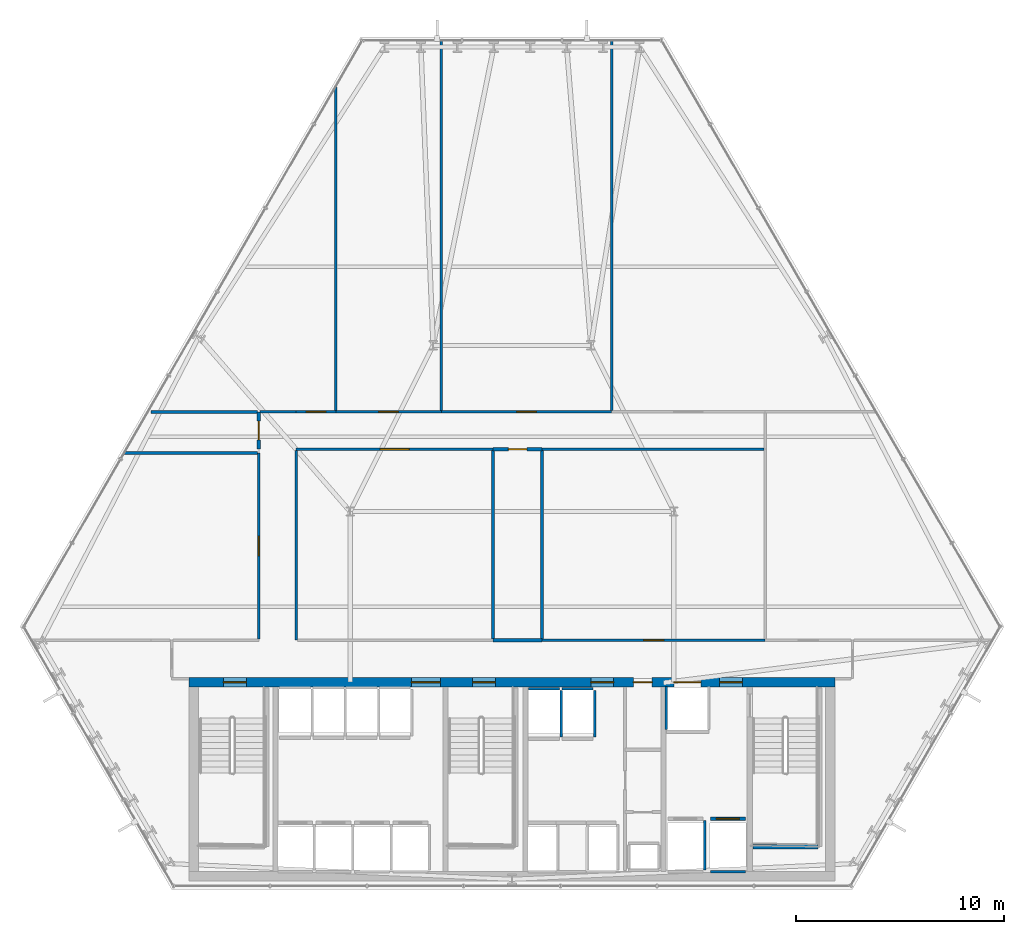
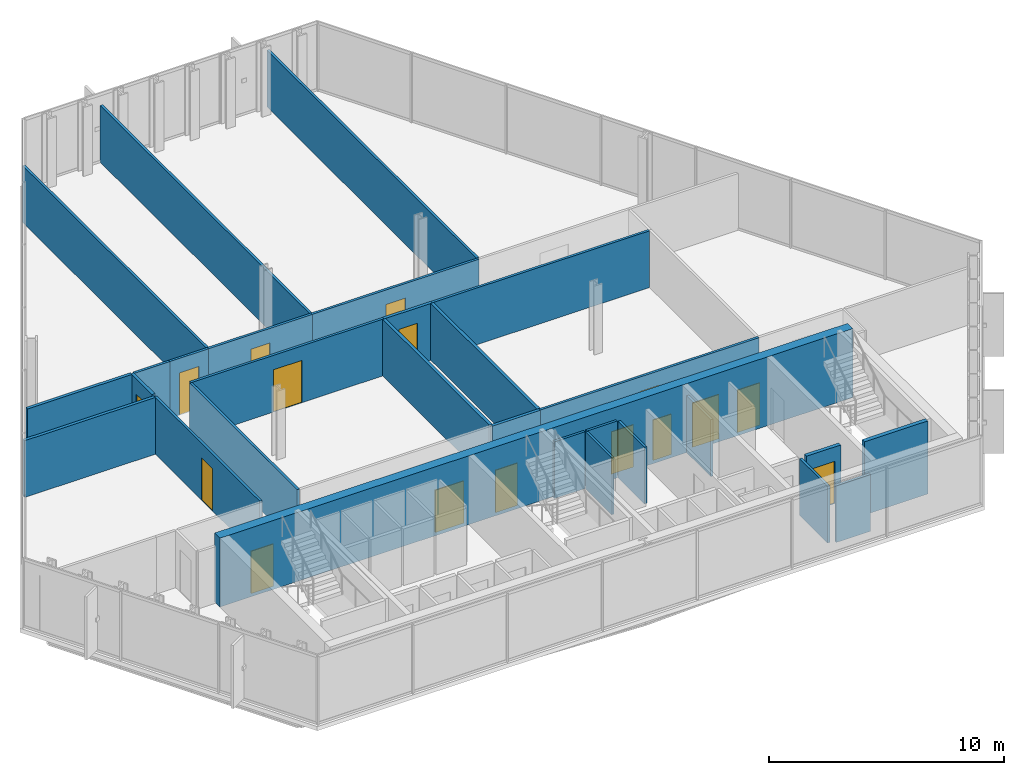
# One storey, part 28 of 33: 29 walls, 16 doors, 16 openings.
"""IFC4 building model written with IfcOpenShell, lengths in metres."""

from ifc_helpers import new_model, si_unit, direction, frame, frame_2d, origin, place, context, subcontext, project, spatial, rectangle, extrude, material, layer, layer_set, type_object, element, fill, save


model = new_model("IFC4")

# Units and contexts
model_context = context("Model", 3, precision=1e-05, world=origin(), true_north=direction((0.0, 1.0)))
body_context = subcontext(model_context, "Body", "Model", "MODEL_VIEW")
ifc_project = project(units=[si_unit("LENGTHUNIT", "METRE"), si_unit("AREAUNIT", "SQUARE_METRE"), si_unit("VOLUMEUNIT", "CUBIC_METRE"), si_unit("PLANEANGLEUNIT", "RADIAN"), si_unit("MASSUNIT", "GRAM", prefix="KILO")], contexts=[model_context])

# Site, building, storey
site_placement = place(None, origin())
site = spatial("IfcSite", under=ifc_project, at=site_placement, CompositionType="ELEMENT")
building_placement = place(site_placement, origin())
building = spatial("IfcBuilding", under=site, at=building_placement, Name="Ndaravel Arena Tower", CompositionType="ELEMENT")
storey_placement = place(building_placement, frame((0.0, 0.0, 85.39990234375)))
storey = spatial("IfcBuildingStorey", under=building, at=storey_placement, Name="L19", CompositionType="ELEMENT", Elevation=85.39990234375)

# Wall, openings, doors
ifc_material_1 = material(Name="Concrete C60/75", Category="concrete")
ifc_layer_1 = layer(ifc_material_1, 0.449951171875)
ifc_layer_set_1 = layer_set([ifc_layer_1], Name="Concrete C60/75")
wall_type_1 = type_object("IfcWallType", Name="WALL-CORE-450", PredefinedType="SOLIDWALL", material=ifc_layer_set_1)
wall_1_placement = place(storey_placement, frame((26.449951171875, 14.97509765625, 0.0), z_axis=(0.0, 0.0, 1.0), x_axis=(1.0, 0.0, 0.0)))
wall_1 = element("IfcWall", 1, at=wall_1_placement, inside=storey, type_object=wall_type_1, Name="L19 Core North Shear Wall", PredefinedType="SOLIDWALL", context=body_context, shape_type="SweptSolid", body=[
    extrude(rectangle(XDim=31.10009765625, YDim=0.449951171875, at=frame_2d((15.550048828125, 0.0))), origin(), (0.0, 0.0, 1.0), 3.580078125),
])
opening_1_placement = place(wall_1_placement, frame((1.64990234375, 0.0, 0.0)))
opening_1 = element("IfcOpeningElement", 2, at=opening_1_placement, cuts=wall_1, Name="Opening FD-01", PredefinedType="OPENING", context=body_context, shape_type="SweptSolid", body=[
    extrude(rectangle(XDim=1.10009765625, YDim=2.199951171875, at=frame_2d((0.550048828125, 1.10009765625))), frame((0.0, 0.22509765625, 0.0), z_axis=(0.0, -1.0, 0.0), x_axis=(1.0, 0.0, 0.0)), (0.0, 0.0, 1.0), 0.449951171875),
])
opening_2_placement = place(wall_1_placement, frame((13.64990234375, 0.0, 0.0)))
opening_2 = element("IfcOpeningElement", 3, at=opening_2_placement, cuts=wall_1, Name="Opening FD-01", PredefinedType="OPENING", context=body_context, shape_type="SweptSolid", body=[
    extrude(rectangle(XDim=1.10009765625, YDim=2.199951171875, at=frame_2d((0.550048828125, 1.10009765625))), frame((0.0, 0.22509765625, 0.0), z_axis=(0.0, -1.0, 0.0), x_axis=(1.0, 0.0, 0.0)), (0.0, 0.0, 1.0), 0.449951171875),
])
opening_3_placement = place(wall_1_placement, frame((25.550048828125, 0.0, 0.0)))
opening_3 = element("IfcOpeningElement", 4, at=opening_3_placement, cuts=wall_1, Name="Opening FD-01", PredefinedType="OPENING", context=body_context, shape_type="SweptSolid", body=[
    extrude(rectangle(XDim=1.10009765625, YDim=2.199951171875, at=frame_2d((0.550048828125, 1.10009765625))), frame((0.0, 0.22509765625, 0.0), z_axis=(0.0, -1.0, 0.0), x_axis=(1.0, 0.0, 0.0)), (0.0, 0.0, 1.0), 0.449951171875),
])
opening_4_placement = place(wall_1_placement, frame((10.699951171875, 0.0, 0.0)))
opening_4 = element("IfcOpeningElement", 5, at=opening_4_placement, cuts=wall_1, Name="Opening ID-02", PredefinedType="OPENING", context=body_context, shape_type="SweptSolid", body=[
    extrude(rectangle(XDim=1.39990234375, YDim=2.199951171875, at=frame_2d((0.699951171875, 1.10009765625))), frame((0.0, 0.22509765625, 0.0), z_axis=(0.0, -1.0, 0.0), x_axis=(1.0, 0.0, 0.0)), (0.0, 0.0, 1.0), 0.449951171875),
])
opening_5_placement = place(wall_1_placement, frame((19.35009765625, 0.0, 0.0)))
opening_5 = element("IfcOpeningElement", 6, at=opening_5_placement, cuts=wall_1, Name="Opening FD-01", PredefinedType="OPENING", context=body_context, shape_type="SweptSolid", body=[
    extrude(rectangle(XDim=1.10009765625, YDim=2.199951171875, at=frame_2d((0.550048828125, 1.10009765625))), frame((0.0, 0.22509765625, 0.0), z_axis=(0.0, -1.0, 0.0), x_axis=(1.0, 0.0, 0.0)), (0.0, 0.0, 1.0), 0.449951171875),
])
opening_6_placement = place(wall_1_placement, frame((21.39990234375, 0.0, 0.0)))
opening_6 = element("IfcOpeningElement", 7, at=opening_6_placement, cuts=wall_1, Name="Opening RD-01", PredefinedType="OPENING", context=body_context, shape_type="SweptSolid", body=[
    extrude(rectangle(XDim=0.89990234375, YDim=2.10009765625, at=frame_2d((0.449951171875, 1.050048828125))), frame((0.0, 0.22509765625, 0.0), z_axis=(0.0, -1.0, 0.0), x_axis=(1.0, 0.0, 0.0)), (0.0, 0.0, 1.0), 0.449951171875),
])
opening_7_placement = place(wall_1_placement, frame((23.35009765625, 0.0, 0.0)))
opening_7 = element("IfcOpeningElement", 8, at=opening_7_placement, cuts=wall_1, Name="Opening LD-02", PredefinedType="OPENING", context=body_context, shape_type="SweptSolid", body=[
    extrude(rectangle(XDim=1.300048828125, YDim=2.300048828125, at=frame_2d((0.64990234375, 1.14990234375))), frame((0.0, 0.22509765625, 0.0), z_axis=(0.0, -1.0, 0.0), x_axis=(1.0, 0.0, 0.0)), (0.0, 0.0, 1.0), 0.449951171875),
])
ifc_material_2 = material(Name="Steel S355", Category="steel")
door_type_1 = type_object("IfcDoorType", Name="DT-01-STAIR-1100", OperationType="SINGLE_SWING_LEFT", PredefinedType="DOOR", material=ifc_material_2)
door_1_placement = place(opening_1_placement, origin())
door_1 = element("IfcDoor", 9, at=door_1_placement, inside=storey, type_object=door_type_1, Name="L19 Exit Stair ST-1 Door", OperationType="SINGLE_SWING_RIGHT", OverallHeight=2.199951171875, OverallWidth=1.10009765625, PredefinedType="DOOR", context=body_context, shape_type="SweptSolid", body=[
    extrude(rectangle(XDim=1.10009765625, YDim=2.199951171875, at=frame_2d((0.550048828125, 1.10009765625))), frame((0.0, 0.02490234375, 0.0), z_axis=(0.0, -1.0, 0.0), x_axis=(1.0, 0.0, 0.0)), (0.0, 0.0, 1.0), 0.050048828125),
])
fill(opening_1, door_1)
door_2_placement = place(opening_2_placement, origin())
door_2 = element("IfcDoor", 10, at=door_2_placement, inside=storey, type_object=door_type_1, Name="L19 Exit Stair ST-2 Door", OperationType="SINGLE_SWING_LEFT", OverallHeight=2.199951171875, OverallWidth=1.10009765625, PredefinedType="DOOR", context=body_context, shape_type="SweptSolid", body=[
    extrude(rectangle(XDim=1.10009765625, YDim=2.199951171875, at=frame_2d((0.550048828125, 1.10009765625))), frame((0.0, 0.02490234375, 0.0), z_axis=(0.0, -1.0, 0.0), x_axis=(1.0, 0.0, 0.0)), (0.0, 0.0, 1.0), 0.050048828125),
])
fill(opening_2, door_2)
door_3_placement = place(opening_3_placement, origin())
door_3 = element("IfcDoor", 11, at=door_3_placement, inside=storey, type_object=door_type_1, Name="L19 Firefighting Lift Lobby Door", OperationType="SINGLE_SWING_RIGHT", OverallHeight=2.199951171875, OverallWidth=1.10009765625, PredefinedType="DOOR", context=body_context, shape_type="SweptSolid", body=[
    extrude(rectangle(XDim=1.10009765625, YDim=2.199951171875, at=frame_2d((0.550048828125, 1.10009765625))), frame((0.0, 0.02490234375, 0.0), z_axis=(0.0, -1.0, 0.0), x_axis=(1.0, 0.0, 0.0)), (0.0, 0.0, 1.0), 0.050048828125),
])
fill(opening_3, door_3)
door_4_placement = place(opening_5_placement, origin())
door_4 = element("IfcDoor", 12, at=door_4_placement, inside=storey, type_object=door_type_1, Name="L19 Express Lift Lobby Entry Door", OperationType="SINGLE_SWING_LEFT", OverallHeight=2.199951171875, OverallWidth=1.10009765625, PredefinedType="DOOR", context=body_context, shape_type="SweptSolid", body=[
    extrude(rectangle(XDim=1.10009765625, YDim=2.199951171875, at=frame_2d((0.550048828125, 1.10009765625))), frame((0.0, 0.02490234375, 0.0), z_axis=(0.0, -1.0, 0.0), x_axis=(1.0, 0.0, 0.0)), (0.0, 0.0, 1.0), 0.050048828125),
])
fill(opening_5, door_4)
ifc_material_3 = material(Name="Timber", Category="wood")
door_type_2 = type_object("IfcDoorType", Name="DT-04-SUITE-1400", OperationType="DOUBLE_DOOR_SINGLE_SWING", PredefinedType="DOOR", material=ifc_material_3)
door_5_placement = place(opening_4_placement, origin())
door_5 = element("IfcDoor", 13, at=door_5_placement, inside=storey, type_object=door_type_2, Name="L19 West Lift Lobby Entry Door", OperationType="DOUBLE_DOOR_SINGLE_SWING", OverallHeight=2.199951171875, OverallWidth=1.39990234375, PredefinedType="DOOR", context=body_context, shape_type="SweptSolid", body=[
    extrude(rectangle(XDim=1.39990234375, YDim=2.199951171875, at=frame_2d((0.699951171875, 1.10009765625))), frame((0.0, 0.02490234375, 0.0), z_axis=(0.0, -1.0, 0.0), x_axis=(1.0, 0.0, 0.0)), (0.0, 0.0, 1.0), 0.050048828125),
])
fill(opening_4, door_5)
ifc_material_4 = material(Name="Steel S355", Category="steel")
door_type_3 = type_object("IfcDoorType", Name="DT-07-SVLIFT-1300", OperationType="DOUBLE_DOOR_SLIDING", PredefinedType="DOOR", material=ifc_material_4)
door_6_placement = place(opening_7_placement, origin())
door_6 = element("IfcDoor", 14, at=door_6_placement, inside=storey, type_object=door_type_3, Name="L19 Lift SVL-1 Sliding Landing Door", OperationType="DOUBLE_DOOR_SLIDING", OverallHeight=2.300048828125, OverallWidth=1.300048828125, PredefinedType="DOOR", context=body_context, shape_type="SweptSolid", body=[
    extrude(rectangle(XDim=1.300048828125, YDim=2.300048828125, at=frame_2d((0.64990234375, 1.14990234375))), frame((0.0, 0.02490234375, 0.0), z_axis=(0.0, -1.0, 0.0), x_axis=(1.0, 0.0, 0.0)), (0.0, 0.0, 1.0), 0.050048828125),
])
fill(opening_7, door_6)
ifc_material_5 = material(Name="Steel S355", Category="steel")
door_type_4 = type_object("IfcDoorType", Name="DT-08-RISER-900", OperationType="SINGLE_SWING_LEFT", PredefinedType="DOOR", material=ifc_material_5)
door_7_placement = place(opening_6_placement, origin())
door_7 = element("IfcDoor", 15, at=door_7_placement, inside=storey, type_object=door_type_4, Name="L19 Core Service Riser North Door", OperationType="SINGLE_SWING_LEFT", OverallHeight=2.10009765625, OverallWidth=0.89990234375, PredefinedType="DOOR", context=body_context, shape_type="SweptSolid", body=[
    extrude(rectangle(XDim=0.89990234375, YDim=2.10009765625, at=frame_2d((0.449951171875, 1.050048828125))), frame((0.0, 0.02490234375, 0.0), z_axis=(0.0, -1.0, 0.0), x_axis=(1.0, 0.0, 0.0)), (0.0, 0.0, 1.0), 0.050048828125),
])
fill(opening_6, door_7)

# Wall, opening, door
ifc_material_6 = material(Name="Gypsum", Category="gypsum")
ifc_layer_2 = layer(ifc_material_6, 0.125)
ifc_layer_set_2 = layer_set([ifc_layer_2], Name="Gypsum")
wall_type_2 = type_object("IfcWallType", Name="WALL-PART-125", PredefinedType="PARTITIONING", material=ifc_layer_set_2)
wall_2_placement = place(storey_placement, frame((29.800048828125, 17.06494140625, 0.0), z_axis=(0.0, 0.0, 1.0), x_axis=(0.0, 1.0, 0.0)))
wall_2 = element("IfcWall", 16, at=wall_2_placement, inside=storey, type_object=wall_type_2, Name="L19 Interior Partition 006", PredefinedType="PARTITIONING", context=body_context, shape_type="SweptSolid", body=[
    extrude(rectangle(XDim=8.955078125, YDim=0.125, at=frame_2d((4.4775390625, 0.0))), origin(), (0.0, 0.0, 1.0), 2.9501953125),
])
opening_8_placement = place(wall_2_placement, frame((4.00244140625, 0.0, 0.0)))
opening_8 = element("IfcOpeningElement", 17, at=opening_8_placement, cuts=wall_2, Name="Opening ID-01", PredefinedType="OPENING", context=body_context, shape_type="SweptSolid", body=[
    extrude(rectangle(XDim=0.949951171875, YDim=2.199951171875, at=frame_2d((0.47509765625, 1.10009765625))), frame((0.0, 0.0625, 0.0), z_axis=(0.0, -1.0, 0.0), x_axis=(1.0, 0.0, 0.0)), (0.0, 0.0, 1.0), 0.125),
])
ifc_material_7 = material(Name="Timber", Category="wood")
door_type_5 = type_object("IfcDoorType", Name="DT-03-OFFICE-950", OperationType="SINGLE_SWING_LEFT", PredefinedType="DOOR", material=ifc_material_7)
door_8_placement = place(opening_8_placement, origin())
door_8 = element("IfcDoor", 18, at=door_8_placement, inside=storey, type_object=door_type_5, Name="L19 Design Bookshop Boutique Door", OperationType="SINGLE_SWING_RIGHT", OverallHeight=2.199951171875, OverallWidth=0.949951171875, PredefinedType="DOOR", context=body_context, shape_type="SweptSolid", body=[
    extrude(rectangle(XDim=0.949951171875, YDim=2.199951171875, at=frame_2d((0.47509765625, 1.10009765625))), frame((0.0, 0.02490234375, 0.0), z_axis=(0.0, -1.0, 0.0), x_axis=(1.0, 0.0, 0.0)), (0.0, 0.0, 1.0), 0.050048828125),
])
fill(opening_8, door_8)

# Wall
wall_3_placement = place(storey_placement, frame((29.864990234375, 28.0, 0.0), z_axis=(0.0, 0.0, 1.0), x_axis=(1.0, 0.0, 0.0)))
element("IfcWall", 19, at=wall_3_placement, inside=storey, type_object=wall_type_2, Name="L19 Interior Partition 008", PredefinedType="PARTITIONING", context=body_context, shape_type="SweptSolid", body=[
    extrude(rectangle(XDim=1.735107421875, YDim=0.125, at=frame_2d((0.86767578125, 0.0))), origin(), (0.0, 0.0, 1.0), 2.9501953125),
])

# Wall, opening, door
wall_4_placement = place(storey_placement, frame((31.60009765625, 28.0, 0.0), z_axis=(0.0, 0.0, 1.0), x_axis=(1.0, 0.0, 0.0)))
wall_4 = element("IfcWall", 20, at=wall_4_placement, inside=storey, type_object=wall_type_2, Name="L19 Interior Partition 009", PredefinedType="PARTITIONING", context=body_context, shape_type="SweptSolid", body=[
    extrude(rectangle(XDim=1.90869140625, YDim=0.125, at=frame_2d((0.954345703125, 0.0))), origin(), (0.0, 0.0, 1.0), 2.9501953125),
])
opening_9_placement = place(wall_4_placement, frame((0.4794921875, 0.0, 0.0)))
opening_9 = element("IfcOpeningElement", 21, at=opening_9_placement, cuts=wall_4, Name="Opening ID-01", PredefinedType="OPENING", context=body_context, shape_type="SweptSolid", body=[
    extrude(rectangle(XDim=0.949951171875, YDim=2.199951171875, at=frame_2d((0.47509765625, 1.10009765625))), frame((0.0, 0.0625, 0.0), z_axis=(0.0, -1.0, 0.0), x_axis=(1.0, 0.0, 0.0)), (0.0, 0.0, 1.0), 0.125),
])
door_9_placement = place(opening_9_placement, origin())
door_9 = element("IfcDoor", 22, at=door_9_placement, inside=storey, type_object=door_type_5, Name="L19 Concierge Arrival Salon 2 Door", OperationType="SINGLE_SWING_RIGHT", OverallHeight=2.199951171875, OverallWidth=0.949951171875, PredefinedType="DOOR", context=body_context, shape_type="SweptSolid", body=[
    extrude(rectangle(XDim=0.949951171875, YDim=2.199951171875, at=frame_2d((0.47509765625, 1.10009765625))), frame((0.0, 0.02490234375, 0.0), z_axis=(0.0, -1.0, 0.0), x_axis=(1.0, 0.0, 0.0)), (0.0, 0.0, 1.0), 0.050048828125),
])
fill(opening_9, door_9)

wall_5_placement = place(storey_placement, frame((33.5087890625, 28.0, 0.0), z_axis=(0.0, 0.0, 1.0), x_axis=(1.0, 0.0, 0.0)))
wall_5 = element("IfcWall", 23, at=wall_5_placement, inside=storey, type_object=wall_type_2, Name="L19 Interior Partition 010", PredefinedType="PARTITIONING", context=body_context, shape_type="SweptSolid", body=[
    extrude(rectangle(XDim=5.09130859375, YDim=0.125, at=frame_2d((2.545654296875, 0.0))), origin(), (0.0, 0.0, 1.0), 2.9501953125),
])
opening_10_placement = place(wall_5_placement, frame((2.070556640625, 0.0, 0.0)))
opening_10 = element("IfcOpeningElement", 24, at=opening_10_placement, cuts=wall_5, Name="Opening ID-01", PredefinedType="OPENING", context=body_context, shape_type="SweptSolid", body=[
    extrude(rectangle(XDim=0.949951171875, YDim=2.199951171875, at=frame_2d((0.47509765625, 1.10009765625))), frame((0.0, 0.0625, 0.0), z_axis=(0.0, -1.0, 0.0), x_axis=(1.0, 0.0, 0.0)), (0.0, 0.0, 1.0), 0.125),
])
door_10_placement = place(opening_10_placement, origin())
door_10 = element("IfcDoor", 25, at=door_10_placement, inside=storey, type_object=door_type_5, Name="L19 Executive Corner Office 4 Door", OperationType="SINGLE_SWING_RIGHT", OverallHeight=2.199951171875, OverallWidth=0.949951171875, PredefinedType="DOOR", context=body_context, shape_type="SweptSolid", body=[
    extrude(rectangle(XDim=0.949951171875, YDim=2.199951171875, at=frame_2d((0.47509765625, 1.10009765625))), frame((0.0, 0.02490234375, 0.0), z_axis=(0.0, -1.0, 0.0), x_axis=(1.0, 0.0, 0.0)), (0.0, 0.0, 1.0), 0.050048828125),
])
fill(opening_10, door_10)

wall_6_placement = place(storey_placement, frame((38.60009765625, 28.0, 0.0), z_axis=(0.0, 0.0, 1.0), x_axis=(1.0, 0.0, 0.0)))
wall_6 = element("IfcWall", 26, at=wall_6_placement, inside=storey, type_object=wall_type_2, Name="L19 Interior Partition 011", PredefinedType="PARTITIONING", context=body_context, shape_type="SweptSolid", body=[
    extrude(rectangle(XDim=8.199951171875, YDim=0.125, at=frame_2d((4.10009765625, 0.0))), origin(), (0.0, 0.0, 1.0), 2.9501953125),
])
opening_11_placement = place(wall_6_placement, frame((3.625, 0.0, 0.0)))
opening_11 = element("IfcOpeningElement", 27, at=opening_11_placement, cuts=wall_6, Name="Opening ID-01", PredefinedType="OPENING", context=body_context, shape_type="SweptSolid", body=[
    extrude(rectangle(XDim=0.949951171875, YDim=2.199951171875, at=frame_2d((0.47509765625, 1.10009765625))), frame((0.0, 0.0625, 0.0), z_axis=(0.0, -1.0, 0.0), x_axis=(1.0, 0.0, 0.0)), (0.0, 0.0, 1.0), 0.125),
])
door_11_placement = place(opening_11_placement, origin())
door_11 = element("IfcDoor", 28, at=door_11_placement, inside=storey, type_object=door_type_5, Name="L19 Client Concierge Parlour 4 Door", OperationType="SINGLE_SWING_LEFT", OverallHeight=2.199951171875, OverallWidth=0.949951171875, PredefinedType="DOOR", context=body_context, shape_type="SweptSolid", body=[
    extrude(rectangle(XDim=0.949951171875, YDim=2.199951171875, at=frame_2d((0.47509765625, 1.10009765625))), frame((0.0, 0.02490234375, 0.0), z_axis=(0.0, -1.0, 0.0), x_axis=(1.0, 0.0, 0.0)), (0.0, 0.0, 1.0), 0.050048828125),
])
fill(opening_11, door_11)

# Wall
wall_7_placement = place(storey_placement, frame((54.135009765625, 26.199951171875, 0.0), z_axis=(0.0, 0.0, 1.0), x_axis=(-1.0, 0.0, 0.0)))
element("IfcWall", 29, at=wall_7_placement, inside=storey, type_object=wall_type_2, Name="L19 Interior Partition 014", PredefinedType="PARTITIONING", context=body_context, shape_type="SweptSolid", body=[
    extrude(rectangle(XDim=10.68359375, YDim=0.125, at=frame_2d((5.341796875, 0.0))), origin(), (0.0, 0.0, 1.0), 2.9501953125),
])

# Wall, opening, door
wall_8_placement = place(storey_placement, frame((41.092041015625, 26.199951171875, 0.0), z_axis=(0.0, 0.0, 1.0), x_axis=(-1.0, 0.0, 0.0)))
wall_8 = element("IfcWall", 30, at=wall_8_placement, inside=storey, type_object=wall_type_2, Name="L19 Interior Partition 016", PredefinedType="PARTITIONING", context=body_context, shape_type="SweptSolid", body=[
    extrude(rectangle(XDim=9.491943359375, YDim=0.125, at=frame_2d((4.74609375, 0.0))), origin(), (0.0, 0.0, 1.0), 2.9501953125),
])
opening_12_placement = place(wall_8_placement, frame((4.0458984375, 0.0, 0.0)))
opening_12 = element("IfcOpeningElement", 31, at=opening_12_placement, cuts=wall_8, Name="Opening ID-02", PredefinedType="OPENING", context=body_context, shape_type="SweptSolid", body=[
    extrude(rectangle(XDim=1.39990234375, YDim=2.199951171875, at=frame_2d((0.699951171875, 1.10009765625))), frame((0.0, 0.0625, 0.0), z_axis=(0.0, -1.0, 0.0), x_axis=(1.0, 0.0, 0.0)), (0.0, 0.0, 1.0), 0.125),
])
door_12_placement = place(opening_12_placement, origin())
door_12 = element("IfcDoor", 32, at=door_12_placement, inside=storey, type_object=door_type_2, Name="L19 Collaborative Lounge Door", OperationType="SINGLE_SWING_LEFT", OverallHeight=2.199951171875, OverallWidth=1.39990234375, PredefinedType="DOOR", context=body_context, shape_type="SweptSolid", body=[
    extrude(rectangle(XDim=1.39990234375, YDim=2.199951171875, at=frame_2d((0.699951171875, 1.10009765625))), frame((0.0, 0.02490234375, 0.0), z_axis=(0.0, -1.0, 0.0), x_axis=(1.0, 0.0, 0.0)), (0.0, 0.0, 1.0), 0.050048828125),
])
fill(opening_12, door_12)

# Wall
wall_9_placement = place(storey_placement, frame((31.60009765625, 26.135009765625, 0.0), z_axis=(0.0, 0.0, 1.0), x_axis=(0.0, -1.0, 0.0)))
element("IfcWall", 33, at=wall_9_placement, inside=storey, type_object=wall_type_2, Name="L19 Interior Partition 017", PredefinedType="PARTITIONING", context=body_context, shape_type="SweptSolid", body=[
    extrude(rectangle(XDim=9.135009765625, YDim=0.125, at=frame_2d((4.5673828125, 0.0))), origin(), (0.0, 0.0, 1.0), 2.9501953125),
])

# Wall, opening, door
wall_10_placement = place(storey_placement, frame((43.451416015625, 17.0, 0.0), z_axis=(0.0, 0.0, 1.0), x_axis=(1.0, 0.0, 0.0)))
wall_10 = element("IfcWall", 34, at=wall_10_placement, inside=storey, type_object=wall_type_2, Name="L19 Interior Partition 020", PredefinedType="PARTITIONING", context=body_context, shape_type="SweptSolid", body=[
    extrude(rectangle(XDim=10.74853515625, YDim=0.125, at=frame_2d((5.374267578125, 0.0))), origin(), (0.0, 0.0, 1.0), 2.9501953125),
])
opening_13_placement = place(wall_10_placement, frame((4.8994140625, 0.0, 0.0)))
opening_13 = element("IfcOpeningElement", 35, at=opening_13_placement, cuts=wall_10, Name="Opening ID-01", PredefinedType="OPENING", context=body_context, shape_type="SweptSolid", body=[
    extrude(rectangle(XDim=0.949951171875, YDim=2.199951171875, at=frame_2d((0.47509765625, 1.10009765625))), frame((0.0, 0.0625, 0.0), z_axis=(0.0, -1.0, 0.0), x_axis=(1.0, 0.0, 0.0)), (0.0, 0.0, 1.0), 0.125),
])
door_13_placement = place(opening_13_placement, origin())
door_13 = element("IfcDoor", 36, at=door_13_placement, inside=storey, type_object=door_type_5, Name="L19 Cellular Partner Office 2 Door", OperationType="SINGLE_SWING_LEFT", OverallHeight=2.199951171875, OverallWidth=0.949951171875, PredefinedType="DOOR", context=body_context, shape_type="SweptSolid", body=[
    extrude(rectangle(XDim=0.949951171875, YDim=2.199951171875, at=frame_2d((0.47509765625, 1.10009765625))), frame((0.0, 0.02490234375, 0.0), z_axis=(0.0, -1.0, 0.0), x_axis=(1.0, 0.0, 0.0)), (0.0, 0.0, 1.0), 0.050048828125),
])
fill(opening_13, door_13)

# Walls
wall_11_placement = place(storey_placement, frame((33.5087890625, 43.6767578125, 0.0), z_axis=(0.0, 0.0, 1.0), x_axis=(0.0, -1.0, 0.0)))
element("IfcWall", 37, at=wall_11_placement, inside=storey, type_object=wall_type_2, Name="L19 Interior Partition 031", PredefinedType="PARTITIONING", context=body_context, shape_type="SweptSolid", body=[
    extrude(rectangle(XDim=15.61181640625, YDim=0.125, at=frame_2d((7.805908203125, 0.0))), origin(), (0.0, 0.0, 1.0), 2.9501953125),
])
for number, where, z_axis, x_axis, name in (
    (38, (46.800048828125, 28.06494140625, 0.0), (0.0, 0.0, 1.0), (0.0, 1.0, 0.0), "L19 Interior Partition 032"),
    (39, (38.60009765625, 45.89599609375, 0.0), (0.0, 0.0, 1.0), (0.0, -1.0, 0.0), "L19 Interior Partition 033"),
):
    element("IfcWall", number, at=place(storey_placement, frame(where, z_axis=z_axis, x_axis=x_axis)), inside=storey, type_object=wall_type_2, Name=name, PredefinedType="PARTITIONING", context=body_context, shape_type="SweptSolid", body=[
        extrude(rectangle(XDim=17.8310546875, YDim=0.125, at=frame_2d((8.91552734375, 0.0))), origin(), (0.0, 0.0, 1.0), 2.9501953125),
    ])
ifc_material_8 = material(Name="Concrete C40/50", Category="concrete")
ifc_layer_3 = layer(ifc_material_8, 0.1201171875)
ifc_layer_set_3 = layer_set([ifc_layer_3], Name="Concrete C40/50")
wall_type_3 = type_object("IfcWallType", Name="WALL-SHAFT-120", PredefinedType="SOLIDWALL", material=ifc_layer_set_3)
wall_12_placement = place(storey_placement, frame((42.804931640625, 14.659912109375, 0.0), z_axis=(0.0, 0.0, 1.0), x_axis=(1.0, 0.0, 0.0)))
element("IfcWall", 40, at=wall_12_placement, inside=storey, type_object=wall_type_3, Name="L19 PL-OBS1 Shaft Rear Wall", PredefinedType="SOLIDWALL", context=body_context, shape_type="SweptSolid", body=[
    extrude(rectangle(XDim=1.489990234375, YDim=0.1201171875, at=frame_2d((0.7451171875, 0.0))), origin(), (0.0, 0.0, 1.0), 2.9501953125),
])
wall_13_placement = place(storey_placement, frame((44.375, 12.340087890625, 0.0), z_axis=(0.0, 0.0, 1.0), x_axis=(0.0, 1.0, 0.0)))
element("IfcWall", 41, at=wall_13_placement, inside=storey, type_object=wall_type_3, Name="L19 PL-OBS1 Shaft Side R Wall", PredefinedType="SOLIDWALL", context=body_context, shape_type="SweptSolid", body=[
    extrude(rectangle(XDim=2.22998046875, YDim=0.1201171875, at=frame_2d((1.114990234375, 0.0))), origin(), (0.0, 0.0, 1.0), 2.9501953125),
])
wall_14_placement = place(storey_placement, frame((44.405029296875, 14.659912109375, 0.0), z_axis=(0.0, 0.0, 1.0), x_axis=(1.0, 0.0, 0.0)))
element("IfcWall", 42, at=wall_14_placement, inside=storey, type_object=wall_type_3, Name="L19 PL-OBS2 Shaft Rear Wall", PredefinedType="SOLIDWALL", context=body_context, shape_type="SweptSolid", body=[
    extrude(rectangle(XDim=1.489990234375, YDim=0.1201171875, at=frame_2d((0.7451171875, 0.0))), origin(), (0.0, 0.0, 1.0), 2.9501953125),
])
wall_15_placement = place(storey_placement, frame((45.97509765625, 12.340087890625, 0.0), z_axis=(0.0, 0.0, 1.0), x_axis=(0.0, 1.0, 0.0)))
element("IfcWall", 43, at=wall_15_placement, inside=storey, type_object=wall_type_3, Name="L19 PL-OBS2 Shaft Side R Wall", PredefinedType="SOLIDWALL", context=body_context, shape_type="SweptSolid", body=[
    extrude(rectangle(XDim=2.22998046875, YDim=0.1201171875, at=frame_2d((1.114990234375, 0.0))), origin(), (0.0, 0.0, 1.0), 2.9501953125),
])
wall_16_placement = place(storey_placement, frame((51.27490234375, 5.929931640625, 0.0), z_axis=(0.0, 0.0, 1.0), x_axis=(0.0, 1.0, 0.0)))
element("IfcWall", 44, at=wall_16_placement, inside=storey, type_object=wall_type_3, Name="L19 FFL-1 Shaft Side R Wall", PredefinedType="SOLIDWALL", context=body_context, shape_type="SweptSolid", body=[
    extrude(rectangle(XDim=2.380126953125, YDim=0.1201171875, at=frame_2d((1.18994140625, 0.0))), origin(), (0.0, 0.0, 1.0), 2.9501953125),
])
wall_17_placement = place(storey_placement, frame((51.554931640625, 5.840087890625, 0.0), z_axis=(0.0, 0.0, 1.0), x_axis=(1.0, 0.0, 0.0)))
element("IfcWall", 45, at=wall_17_placement, inside=storey, type_object=wall_type_3, Name="L19 FFL-2 Shaft Rear Wall", PredefinedType="SOLIDWALL", context=body_context, shape_type="SweptSolid", body=[
    extrude(rectangle(XDim=1.690185546875, YDim=0.1201171875, at=frame_2d((0.84521484375, 0.0))), origin(), (0.0, 0.0, 1.0), 2.9501953125),
])
wall_18_placement = place(storey_placement, frame((49.43994140625, 12.68994140625, 0.0), z_axis=(0.0, 0.0, 1.0), x_axis=(0.0, 1.0, 0.0)))
element("IfcWall", 46, at=wall_18_placement, inside=storey, type_object=wall_type_3, Name="L19 SVL-1 Shaft W Wall", PredefinedType="SOLIDWALL", context=body_context, shape_type="SweptSolid", body=[
    extrude(rectangle(XDim=2.070068359375, YDim=0.1201171875, at=frame_2d((1.03515625, 0.0))), origin(), (0.0, 0.0, 1.0), 2.9501953125),
])
ifc_material_9 = material(Name="Concrete C40/50", Category="concrete")
ifc_layer_4 = layer(ifc_material_9, 0.199951171875)
ifc_layer_set_4 = layer_set([ifc_layer_4], Name="Concrete C40/50")
wall_type_4 = type_object("IfcWallType", Name="WALL-SHAFT-200", PredefinedType="SOLIDWALL", material=ifc_layer_set_4)
wall_19_placement = place(storey_placement, frame((53.6201171875, 7.050048828125, 0.0), z_axis=(0.0, 0.0, 1.0), x_axis=(1.0, 0.0, 0.0)))
element("IfcWall", 47, at=wall_19_placement, inside=storey, type_object=wall_type_4, Name="L19 ST-3 Structural Shaft Wall Far", PredefinedType="SOLIDWALL", context=body_context, shape_type="SweptSolid", body=[
    extrude(rectangle(XDim=3.114990234375, YDim=0.199951171875, at=frame_2d((1.5576171875, 0.0))), origin(), (0.0, 0.0, 1.0), 3.800048828125),
])

# Wall, opening, door
wall_20_placement = place(storey_placement, frame((51.554931640625, 8.39990234375, 0.0), z_axis=(0.0, 0.0, 1.0), x_axis=(1.0, 0.0, 0.0)))
wall_20 = element("IfcWall", 48, at=wall_20_placement, inside=storey, type_object=wall_type_4, Name="L19 FFL-2 Shaft Landing Wall", PredefinedType="SOLIDWALL", context=body_context, shape_type="SweptSolid", body=[
    extrude(rectangle(XDim=1.690185546875, YDim=0.179931640625, at=frame_2d((0.84521484375, 0.0))), origin(), (0.0, 0.0, 1.0), 2.9501953125),
])
opening_14_placement = place(wall_20_placement, frame((0.294921875, 0.0, 0.0)))
opening_14 = element("IfcOpeningElement", 49, at=opening_14_placement, cuts=wall_20, Name="Opening LD-01", PredefinedType="OPENING", context=body_context, shape_type="SweptSolid", body=[
    extrude(rectangle(XDim=1.10009765625, YDim=2.199951171875, at=frame_2d((0.550048828125, 1.10009765625))), frame((0.0, 0.08984375, 0.0), z_axis=(0.0, -1.0, 0.0), x_axis=(1.0, 0.0, 0.0)), (0.0, 0.0, 1.0), 0.179931640625),
])
ifc_material_10 = material(Name="Steel S355", Category="steel")
door_type_6 = type_object("IfcDoorType", Name="DT-06-LIFT-1100", OperationType="SLIDING_TO_LEFT", PredefinedType="DOOR", material=ifc_material_10)
door_14_placement = place(opening_14_placement, origin())
door_14 = element("IfcDoor", 50, at=door_14_placement, inside=storey, type_object=door_type_6, Name="L19 Lift FFL-2 Sliding Landing Door", OperationType="SLIDING_TO_LEFT", OverallHeight=2.199951171875, OverallWidth=1.10009765625, PredefinedType="DOOR", context=body_context, shape_type="SweptSolid", body=[
    extrude(rectangle(XDim=1.10009765625, YDim=2.199951171875, at=frame_2d((0.550048828125, 1.10009765625))), frame((0.0, 0.02490234375, 0.0), z_axis=(0.0, -1.0, 0.0), x_axis=(1.0, 0.0, 0.0)), (0.0, 0.0, 1.0), 0.050048828125),
])
fill(opening_14, door_14)

ifc_material_11 = material(Name="Masonry", Category="masonry")
ifc_layer_5 = layer(ifc_material_11, 0.14990234375)
ifc_layer_set_5 = layer_set([ifc_layer_5], Name="Masonry")
wall_type_5 = type_object("IfcWallType", Name="WALL-WET-150", PredefinedType="PARTITIONING", material=ifc_layer_set_5)
wall_21_placement = place(storey_placement, frame((29.800048828125, 26.199951171875, 0.0), z_axis=(0.0, 0.0, 1.0), x_axis=(0.0, 1.0, 0.0)))
wall_21 = element("IfcWall", 51, at=wall_21_placement, inside=storey, type_object=wall_type_5, Name="L19 Interior Partition 007", PredefinedType="PARTITIONING", context=body_context, shape_type="SweptSolid", body=[
    extrude(rectangle(XDim=1.800048828125, YDim=0.14990234375, at=frame_2d((0.89990234375, 0.0))), origin(), (0.0, 0.0, 1.0), 2.9501953125),
])
opening_15_placement = place(wall_21_placement, frame((0.449951171875, 0.0, 0.0)))
opening_15 = element("IfcOpeningElement", 52, at=opening_15_placement, cuts=wall_21, Name="Opening WD-01", PredefinedType="OPENING", context=body_context, shape_type="SweptSolid", body=[
    extrude(rectangle(XDim=0.89990234375, YDim=2.14990234375, at=frame_2d((0.449951171875, 1.074951171875))), frame((0.0, 0.074951171875, 0.0), z_axis=(0.0, -1.0, 0.0), x_axis=(1.0, 0.0, 0.0)), (0.0, 0.0, 1.0), 0.14990234375),
])
ifc_material_12 = material(Name="Timber", Category="wood")
door_type_7 = type_object("IfcDoorType", Name="DT-05-WC-900", OperationType="SINGLE_SWING_LEFT", PredefinedType="DOOR", material=ifc_material_12)
door_15_placement = place(opening_15_placement, origin())
door_15 = element("IfcDoor", 53, at=door_15_placement, inside=storey, type_object=door_type_7, Name="L19 Female & Accessible Restroom Door", OperationType="SINGLE_SWING_LEFT", OverallHeight=2.14990234375, OverallWidth=0.89990234375, PredefinedType="DOOR", context=body_context, shape_type="SweptSolid", body=[
    extrude(rectangle(XDim=0.89990234375, YDim=2.14990234375, at=frame_2d((0.449951171875, 1.074951171875))), frame((0.0, 0.02490234375, 0.0), z_axis=(0.0, -1.0, 0.0), x_axis=(1.0, 0.0, 0.0)), (0.0, 0.0, 1.0), 0.050048828125),
])
fill(opening_15, door_15)

wall_22_placement = place(storey_placement, frame((43.451416015625, 26.199951171875, 0.0), z_axis=(0.0, 0.0, 1.0), x_axis=(-1.0, 0.0, 0.0)))
wall_22 = element("IfcWall", 54, at=wall_22_placement, inside=storey, type_object=wall_type_5, Name="L19 Interior Partition 015", PredefinedType="PARTITIONING", context=body_context, shape_type="SweptSolid", body=[
    extrude(rectangle(XDim=2.359375, YDim=0.14990234375, at=frame_2d((1.1796875, 0.0))), origin(), (0.0, 0.0, 1.0), 2.9501953125),
])
opening_16_placement = place(wall_22_placement, frame((0.729736328125, 0.0, 0.0)))
opening_16 = element("IfcOpeningElement", 55, at=opening_16_placement, cuts=wall_22, Name="Opening WD-01", PredefinedType="OPENING", context=body_context, shape_type="SweptSolid", body=[
    extrude(rectangle(XDim=0.89990234375, YDim=2.14990234375, at=frame_2d((0.449951171875, 1.074951171875))), frame((0.0, 0.074951171875, 0.0), z_axis=(0.0, -1.0, 0.0), x_axis=(1.0, 0.0, 0.0)), (0.0, 0.0, 1.0), 0.14990234375),
])
door_16_placement = place(opening_16_placement, origin())
door_16 = element("IfcDoor", 56, at=door_16_placement, inside=storey, type_object=door_type_7, Name="L19 Male Staff & Visitor Restroom Door", OperationType="SINGLE_SWING_RIGHT", OverallHeight=2.14990234375, OverallWidth=0.89990234375, PredefinedType="DOOR", context=body_context, shape_type="SweptSolid", body=[
    extrude(rectangle(XDim=0.89990234375, YDim=2.14990234375, at=frame_2d((0.449951171875, 1.074951171875))), frame((0.0, 0.02490234375, 0.0), z_axis=(0.0, -1.0, 0.0), x_axis=(1.0, 0.0, 0.0)), (0.0, 0.0, 1.0), 0.050048828125),
])
fill(opening_16, door_16)

# Walls
wall_23_placement = place(storey_placement, frame((41.092041015625, 17.0, 0.0), z_axis=(0.0, 0.0, 1.0), x_axis=(1.0, 0.0, 0.0)))
element("IfcWall", 57, at=wall_23_placement, inside=storey, type_object=wall_type_5, Name="L19 Interior Partition 019", PredefinedType="PARTITIONING", context=body_context, shape_type="SweptSolid", body=[
    extrude(rectangle(XDim=2.359375, YDim=0.14990234375, at=frame_2d((1.1796875, 0.0))), origin(), (0.0, 0.0, 1.0), 2.9501953125),
])
wall_24_placement = place(storey_placement, frame((23.314697265625, 26.02001953125, 0.0), z_axis=(0.0, 0.0, 1.0), x_axis=(1.0, 0.0, 0.0)))
element("IfcWall", 58, at=wall_24_placement, inside=storey, type_object=wall_type_5, Name="L19 Interior Partition 025", PredefinedType="PARTITIONING", context=body_context, shape_type="SweptSolid", body=[
    extrude(rectangle(XDim=6.42041015625, YDim=0.14990234375, at=frame_2d((3.210205078125, 0.0))), origin(), (0.0, 0.0, 1.0), 2.9501953125),
])
for number, where, z_axis, x_axis, name in (
    (59, (41.092041015625, 26.135009765625, 0.0), (0.0, 0.0, 1.0), (0.0, -1.0, 0.0), "L19 Interior Partition 026"),
    (60, (43.451416015625, 26.135009765625, 0.0), (0.0, 0.0, 1.0), (0.0, -1.0, 0.0), "L19 Interior Partition 027"),
):
    element("IfcWall", number, at=place(storey_placement, frame(where, z_axis=z_axis, x_axis=x_axis)), inside=storey, type_object=wall_type_5, Name=name, PredefinedType="PARTITIONING", context=body_context, shape_type="SweptSolid", body=[
        extrude(rectangle(XDim=9.070068359375, YDim=0.14990234375, at=frame_2d((4.53515625, 0.0))), origin(), (0.0, 0.0, 1.0), 2.9501953125),
    ])
wall_25_placement = place(storey_placement, frame((24.60009765625, 28.0, 0.0), z_axis=(0.0, 0.0, 1.0), x_axis=(1.0, 0.0, 0.0)))
element("IfcWall", 61, at=wall_25_placement, inside=storey, type_object=wall_type_5, Name="L19 Interior Partition 030", PredefinedType="PARTITIONING", context=body_context, shape_type="SweptSolid", body=[
    extrude(rectangle(XDim=5.135009765625, YDim=0.14990234375, at=frame_2d((2.5673828125, 0.0))), origin(), (0.0, 0.0, 1.0), 2.9501953125),
])

save(model, "model.ifc")
